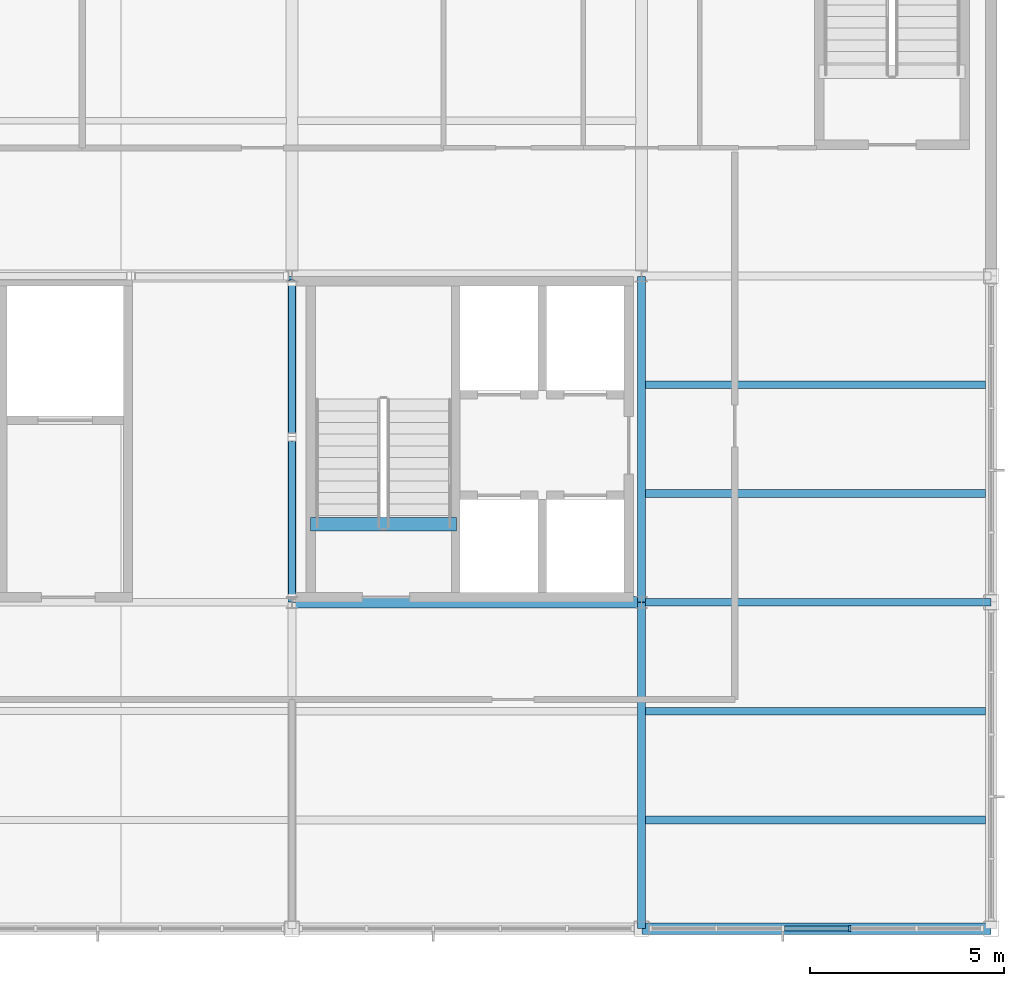
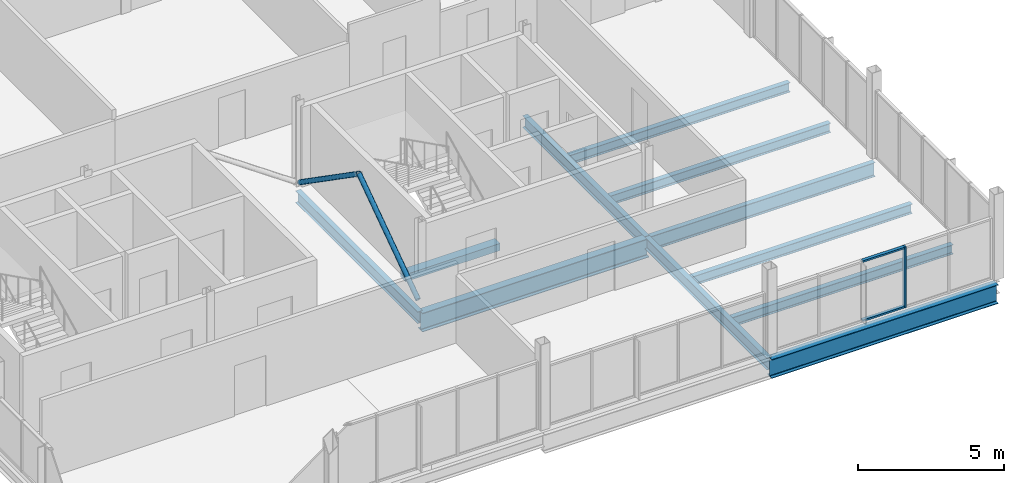
# One storey, part 6 of 15: 11 beams, 5 members, 1 element without a shape of its own.
"""IFC4 building model written with IfcOpenShell, lengths in metres."""

from ifc_helpers import new_model, si_unit, direction, frame, origin, origin_2d, place, context, subcontext, project, spatial, rectangle, hollow_circle, i_section, extrude, material, layer, layer_set, material_profile, profile_set, type_object, element, aggregate, save


model = new_model("IFC4")

# Units and contexts
model_context = context("Model", 3, precision=1e-05, world=origin(), true_north=direction((0.0, 1.0)))
body_context = subcontext(model_context, "Body", "Model", "MODEL_VIEW")
ifc_project = project(units=[si_unit("LENGTHUNIT", "METRE"), si_unit("AREAUNIT", "SQUARE_METRE"), si_unit("VOLUMEUNIT", "CUBIC_METRE"), si_unit("PLANEANGLEUNIT", "RADIAN"), si_unit("MASSUNIT", "GRAM", prefix="KILO")], contexts=[model_context])

# Site, building, storey
site_placement = place(None, origin())
site = spatial("IfcSite", under=ifc_project, at=site_placement, CompositionType="ELEMENT")
building_placement = place(site_placement, origin())
building = spatial("IfcBuilding", under=site, at=building_placement, Name="Yukiwa Park Conservatory and Herbarium", CompositionType="ELEMENT")
storey_placement = place(building_placement, frame((0.0, 0.0, 54.0)))
storey = spatial("IfcBuildingStorey", under=building, at=storey_placement, Name="L14", CompositionType="ELEMENT", Elevation=54.0)

# Beams
ifc_material_1 = material(Name="Steel Q355D", Category="steel")
ifc_material_profile_1 = material_profile(ifc_material_1, i_section(OverallWidth=0.199951171875, OverallDepth=0.5, WebThickness=0.010009765625, FlangeThickness=0.01611328125, FilletRadius=0.02001953125, at=origin_2d()), Name="HN 500x200x10x16")
ifc_profile_set_1 = profile_set([ifc_material_profile_1], Name="Steel Q355D")
beam_type_1 = type_object("IfcBeamType", Name="BM-GRD-HN500", PredefinedType="BEAM", material=ifc_profile_set_1)
beam_1_placement = place(storey_placement, frame((150.0, 94.805908203125, -0.50390625), z_axis=(0.0, 1.0, 0.0), x_axis=(-1.0, 0.0, 0.0)))
element("IfcBeam", 1, at=beam_1_placement, inside=storey, type_object=beam_type_1, Name="L14 grid girder Y-23", PredefinedType="BEAM", context=body_context, shape_type="SweptSolid", body=[
    extrude(i_section(OverallWidth=0.199951171875, OverallDepth=0.5, WebThickness=0.010009765625, FlangeThickness=0.01611328125, FilletRadius=0.02001953125, at=origin_2d()), origin(), (0.0, 0.0, 1.0), 8.38818359375),
])
beam_2_placement = place(storey_placement, frame((159.0, 86.406005859375, -0.50390625), z_axis=(0.0, 1.0, 0.0), x_axis=(-1.0, 0.0, 0.0)))
element("IfcBeam", 2, at=beam_2_placement, inside=storey, type_object=beam_type_1, Name="L14 grid girder Y-25", PredefinedType="BEAM", context=body_context, shape_type="SweptSolid", body=[
    extrude(i_section(OverallWidth=0.199951171875, OverallDepth=0.5, WebThickness=0.010009765625, FlangeThickness=0.01611328125, FilletRadius=0.02001953125, at=origin_2d()), origin(), (0.0, 0.0, 1.0), 8.387939453125),
])
beam_3_placement = place(storey_placement, frame((159.0, 94.805908203125, -0.50390625), z_axis=(0.0, 1.0, 0.0), x_axis=(-1.0, 0.0, 0.0)))
element("IfcBeam", 3, at=beam_3_placement, inside=storey, type_object=beam_type_1, Name="L14 grid girder Y-26", PredefinedType="BEAM", context=body_context, shape_type="SweptSolid", body=[
    extrude(i_section(OverallWidth=0.199951171875, OverallDepth=0.5, WebThickness=0.010009765625, FlangeThickness=0.01611328125, FilletRadius=0.02001953125, at=origin_2d()), origin(), (0.0, 0.0, 1.0), 8.38818359375),
])
ifc_material_2 = material(Name="Steel Q355D", Category="steel")
ifc_material_profile_2 = material_profile(ifc_material_2, i_section(OverallWidth=0.198974609375, OverallDepth=0.595947265625, WebThickness=0.010009765625, FlangeThickness=0.014892578125, FilletRadius=0.02197265625, at=origin_2d()), Name="HN 596x199x10x15")
ifc_profile_set_2 = profile_set([ifc_material_profile_2], Name="Steel Q355D")
beam_type_2 = type_object("IfcBeamType", Name="BM-GRD-HN596", PredefinedType="BEAM", material=ifc_profile_set_2)
beam_4_placement = place(storey_placement, frame((159.006103515625, 94.800048828125, -0.552001953125), z_axis=(1.0, 0.0, 0.0), x_axis=(0.0, 1.0, 0.0)))
element("IfcBeam", 4, at=beam_4_placement, inside=storey, type_object=beam_type_2, Name="L14 grid beam X-8", PredefinedType="BEAM", context=body_context, shape_type="SweptSolid", body=[
    extrude(i_section(OverallWidth=0.198974609375, OverallDepth=0.595947265625, WebThickness=0.010009765625, FlangeThickness=0.014892578125, FilletRadius=0.02197265625, at=origin_2d()), origin(), (0.0, 0.0, 1.0), 8.98779296875),
])
ifc_material_3 = material(Name="Steel Q355D", Category="steel")
ifc_material_profile_3 = material_profile(ifc_material_3, i_section(OverallWidth=0.198974609375, OverallDepth=0.39599609375, WebThickness=0.007080078125, FlangeThickness=0.010986328125, FilletRadius=0.01611328125, at=origin_2d()), Name="HN 396x199x7x11")
ifc_profile_set_3 = profile_set([ifc_material_profile_3], Name="Steel Q355D")
beam_type_3 = type_object("IfcBeamType", Name="BM-JST-HN396", PredefinedType="JOIST", material=ifc_profile_set_3)
for number, where, z_axis, x_axis, name in (
    (5, (159.095947265625, 89.199951171875, -0.451904296875), (1.0, 0.0, 0.0), (0.0, 1.0, 0.0), "L14 composite floor joist 13"),
    (6, (159.095947265625, 92.0, -0.451904296875), (1.0, 0.0, 0.0), (0.0, 1.0, 0.0), "L14 composite floor joist 14"),
    (7, (159.095947265625, 97.60009765625, -0.451904296875), (1.0, 0.0, 0.0), (0.0, 1.0, 0.0), "L14 composite floor joist 15"),
    (8, (159.095947265625, 100.39990234375, -0.451904296875), (1.0, 0.0, 0.0), (0.0, 1.0, 0.0), "L14 composite floor joist 16"),
):
    element("IfcBeam", number, at=place(storey_placement, frame(where, z_axis=z_axis, x_axis=x_axis)), inside=storey, type_object=beam_type_3, Name=name, PredefinedType="JOIST", context=body_context, shape_type="SweptSolid", body=[
        extrude(i_section(OverallWidth=0.198974609375, OverallDepth=0.39599609375, WebThickness=0.007080078125, FlangeThickness=0.010986328125, FilletRadius=0.01611328125, at=origin_2d()), origin(), (0.0, 0.0, 1.0), 8.758056640625),
    ])
ifc_material_4 = material(Name="Steel Q355D", Category="steel")
ifc_material_profile_4 = material_profile(ifc_material_4, i_section(OverallWidth=0.300048828125, OverallDepth=0.7919921875, WebThickness=0.013916015625, FlangeThickness=0.02197265625, FilletRadius=0.028076171875, at=origin_2d()), Name="HN 792x300x14x22")
ifc_profile_set_4 = profile_set([ifc_material_profile_4], Name="Steel Q355D")
beam_type_4 = type_object("IfcBeamType", Name="BM-SPN-HN600", PredefinedType="SPANDREL", material=ifc_profile_set_4)
for number, where, z_axis, x_axis, name in (
    (9, (159.006103515625, 86.39990234375, -0.64990234375), (1.0, 0.0, 0.0), (0.0, 1.0, 0.0), "L14 spandrel beam X-4"),
    (10, (150.006103515625, 94.800048828125, -0.64990234375), (1.0, 0.0, 0.0), (0.0, 1.0, 0.0), "L14 spandrel beam X-7"),
):
    element("IfcBeam", number, at=place(storey_placement, frame(where, z_axis=z_axis, x_axis=x_axis)), inside=storey, type_object=beam_type_4, Name=name, PredefinedType="SPANDREL", context=body_context, shape_type="SweptSolid", body=[
        extrude(i_section(OverallWidth=0.300048828125, OverallDepth=0.7919921875, WebThickness=0.013916015625, FlangeThickness=0.02197265625, FilletRadius=0.028076171875, at=origin_2d()), origin(), (0.0, 0.0, 1.0), 8.98779296875),
    ])
ifc_material_5 = material(Name="Concrete C40", Category="concrete")
ifc_material_profile_5 = material_profile(ifc_material_5, rectangle(XDim=0.35009765625, YDim=0.300048828125, at=origin_2d()), Name="RC 350x300")
ifc_profile_set_5 = profile_set([ifc_material_profile_5], Name="Concrete C40")
beam_type_5 = type_object("IfcBeamType", Name="BM-STAIR-TRIM", PredefinedType="BEAM", material=ifc_profile_set_5)
beam_5_placement = place(storey_placement, frame((150.47998046875, 96.81005859375, -0.14990234375), z_axis=(1.0, 0.0, 0.0), x_axis=(0.0, 1.0, 0.0)))
element("IfcBeam", 11, at=beam_5_placement, inside=storey, type_object=beam_type_5, Name="Stair ST-T2 L14 landing trimmer beam", PredefinedType="BEAM", context=body_context, shape_type="SweptSolid", body=[
    extrude(rectangle(XDim=0.35009765625, YDim=0.300048828125, at=origin_2d()), origin(), (0.0, 0.0, 1.0), 3.75),
])

# Members
ifc_material_6 = material(Name="Steel Q355D", Category="steel")
ifc_material_profile_6 = material_profile(ifc_material_6, hollow_circle(Radius=0.096923828125, WallThickness=0.010009765625, at=origin_2d()), Name="CHS 193.7x10")
ifc_profile_set_6 = profile_set([ifc_material_profile_6], Name="Steel Q355D")
member_type_1 = type_object("IfcMemberType", Name="MB-BR-CHS194", PredefinedType="BRACE", material=ifc_profile_set_6)
for number, where, z_axis, x_axis, name in (
    (12, (150.0, 94.9453125, 0.15087890625), (0.0, 0.821145981331, 0.570718211856), (-1.0, 0.0, 0.0), "L14 concentric chevron brace 71"),
    (13, (150.0, 103.0546875, 0.15087890625), (0.0, -0.821145981331, 0.570718211856), (1.0, 0.0, 0.0), "L14 concentric chevron brace 72"),
):
    element("IfcMember", number, at=place(storey_placement, frame(where, z_axis=z_axis, x_axis=x_axis)), inside=storey, type_object=member_type_1, Name=name, PredefinedType="BRACE", context=body_context, shape_type="SweptSolid", body=[
        extrude(hollow_circle(Radius=0.096923828125, WallThickness=0.010009765625, at=origin_2d()), origin(), (0.0, 0.0, 1.0), 4.937744140625),
    ])

# Curtain wall, members
ifc_material_7 = material(Name="Triple Low-E Insulated Glass", Category="glass")
ifc_layer = layer(ifc_material_7, 0.27197265625)
ifc_layer_set = layer_set([ifc_layer], Name="Triple Low-E Insulated Glass")
curtain_wall_type = type_object("IfcCurtainWallType", Name="CW-TOWER-LIB-1600", PredefinedType="NOTDEFINED", material=ifc_layer_set)
curtain_wall_placement = place(storey_placement, origin())
curtain_wall = element("IfcCurtainWall", 14, at=curtain_wall_placement, inside=storey, type_object=curtain_wall_type, Name="L14 unitised curtain wall CW-L14-140", PredefinedType="NOTDEFINED")
ifc_material_8 = material(Name="Anodised Aluminium", Category="aluminium")
member_type_2 = type_object("IfcMemberType", Name="MB-CW-MUL-70X150", PredefinedType="MULLION", material=ifc_material_8)
member_1_placement = place(storey_placement, frame((164.360107421875, 86.39990234375, 0.0), z_axis=(0.0, 0.0, 1.0), x_axis=(1.0, 0.0, 0.0)))
member_1 = element("IfcMember", 15, at=member_1_placement, type_object=member_type_2, Name="CW-L14-140 mullion 4", PredefinedType="MULLION", context=body_context, shape_type="SweptSolid", body=[
    extrude(rectangle(XDim=0.070068359375, YDim=0.14990234375, at=origin_2d()), origin(), (0.0, 0.0, 1.0), 2.552001953125),
])
ifc_material_9 = material(Name="Anodised Aluminium", Category="aluminium")
member_type_3 = type_object("IfcMemberType", Name="MB-CW-TRN-70X130", PredefinedType="USERDEFINED", material=ifc_material_9)
member_2_placement = place(storey_placement, frame((163.5, 86.39990234375, 0.0), z_axis=(0.0, 0.0, 1.0), x_axis=(1.0, 0.0, 0.0)))
member_2 = element("IfcMember", 16, at=member_2_placement, type_object=member_type_3, Name="CW-L14-140 transom 3.1", ObjectType="TRANSOM", PredefinedType="USERDEFINED", context=body_context, shape_type="SweptSolid", body=[
    extrude(rectangle(XDim=1.64990234375, YDim=0.1298828125, at=origin_2d()), origin(), (0.0, 0.0, 1.0), 0.070068359375),
])
member_3_placement = place(storey_placement, frame((163.5, 86.39990234375, 2.48193359375), z_axis=(0.0, 0.0, 1.0), x_axis=(1.0, 0.0, 0.0)))
member_3 = element("IfcMember", 17, at=member_3_placement, type_object=member_type_3, Name="CW-L14-140 transom 3.2", ObjectType="TRANSOM", PredefinedType="USERDEFINED", context=body_context, shape_type="SweptSolid", body=[
    extrude(rectangle(XDim=1.64990234375, YDim=0.1298828125, at=origin_2d()), origin(), (0.0, 0.0, 1.0), 0.070068359375),
])
aggregate(curtain_wall, [member_1, member_2, member_3])

save(model, "model.ifc")
